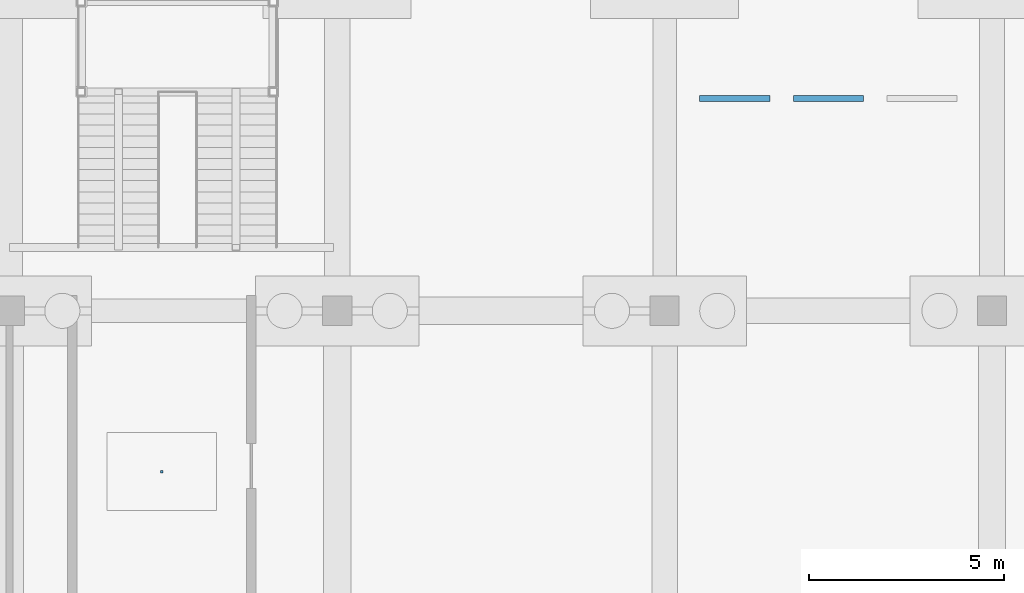
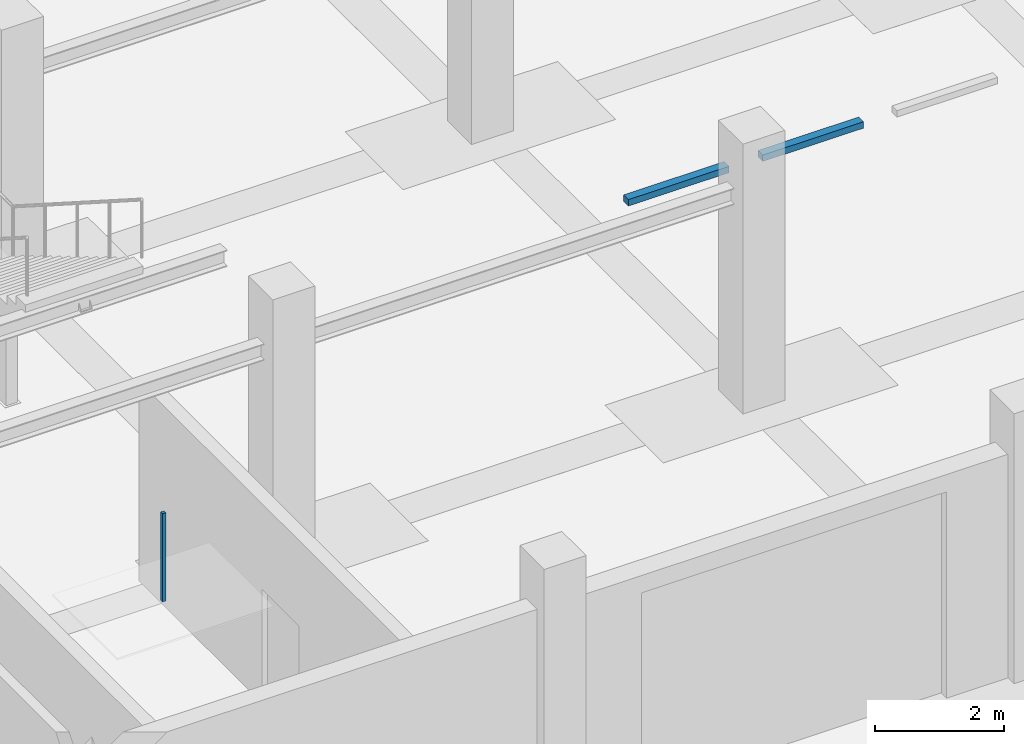
# One storey, part 96 of 119: 3 discrete accessories.
"""IFC4 building model written with IfcOpenShell, lengths in metres."""

from ifc_helpers import new_model, si_unit, derived_unit, direction, frame, origin, origin_2d, place, context, subcontext, project, spatial, rectangle, extrude, material, layer, layer_set, type_object, element, save


model = new_model("IFC4")

# Units and contexts
model_context = context("Model", 3, precision=1e-05, world=origin(), true_north=direction((0.0, 1.0)))
body_context = subcontext(model_context, "Body", "Model", "MODEL_VIEW")
ifc_project = project(units=[si_unit("LENGTHUNIT", "METRE"), si_unit("AREAUNIT", "SQUARE_METRE"), si_unit("VOLUMEUNIT", "CUBIC_METRE"), si_unit("PLANEANGLEUNIT", "RADIAN"), si_unit("MASSUNIT", "GRAM", prefix="KILO"), derived_unit("THERMALTRANSMITTANCEUNIT", [(si_unit("MASSUNIT", "GRAM", prefix="KILO"), 1), (si_unit("TIMEUNIT", "SECOND"), -3), (si_unit("THERMODYNAMICTEMPERATUREUNIT", "KELVIN"), -1)])], contexts=[model_context])

# Site, building, storey
site_placement = place(None, origin())
site = spatial("IfcSite", under=ifc_project, at=site_placement, CompositionType="ELEMENT")
building_placement = place(site_placement, origin())
building = spatial("IfcBuilding", under=site, at=building_placement, Name="Makaiwela Harbour Ferry Terminal", CompositionType="ELEMENT")
storey_placement = place(building_placement, origin())
storey = spatial("IfcBuildingStorey", under=building, at=storey_placement, Name="L00", CompositionType="ELEMENT", Elevation=0.0)

# Discrete accessories
ifc_material_1 = material(Name="Concrete f'c 45 MPa (6500 psi)", Category="concrete")
ifc_layer_1 = layer(ifc_material_1, 0.1201171875)
ifc_layer_set_1 = layer_set([ifc_layer_1], Name="Concrete f'c 45 MPa (6500 psi)")
discrete_accessory_type_1 = type_object("IfcDiscreteAccessoryType", Name="EXT-ACC-WST", PredefinedType="BRACKET", material=ifc_layer_set_1)
for number, where, z_axis, x_axis, name in (
    (1, (90.0, 13.85009765625, 0.0), (0.0, 0.0, 1.0), (1.0, 0.0, 0.0), "Parking Bay Wheel Stop WS-03"),
    (2, (92.39990234375, 13.85009765625, 0.0), (0.0, 0.0, 1.0), (1.0, 0.0, 0.0), "Parking Bay Wheel Stop WS-04"),
):
    element("IfcDiscreteAccessory", number, at=place(storey_placement, frame(where, z_axis=z_axis, x_axis=x_axis)), inside=storey, type_object=discrete_accessory_type_1, Name=name, PredefinedType="BRACKET", context=body_context, shape_type="SweptSolid", body=[
        extrude(rectangle(XDim=1.800048828125, YDim=0.14990234375, at=origin_2d()), origin(), (0.0, 0.0, 1.0), 0.1201171875),
    ])
ifc_material_2 = material(Name="Marine grade 316L brushed stainless steel", Category="steel")
ifc_layer_2 = layer(ifc_material_2, 1.0)
ifc_layer_set_2 = layer_set([ifc_layer_2], Name="Marine grade 316L brushed stainless steel")
discrete_accessory_type_2 = type_object("IfcDiscreteAccessoryType", Name="INT-ACC-HNG", PredefinedType="BRACKET", material=ifc_layer_set_2)
discrete_accessory_placement = place(storey_placement, frame((75.300048828125, 4.27490234375, 3.135009765625), z_axis=(0.0, 0.0, 1.0), x_axis=(1.0, 0.0, 0.0)))
element("IfcDiscreteAccessory", 3, at=discrete_accessory_placement, inside=storey, type_object=discrete_accessory_type_2, Name="Ceiling Suspension Bracket HNG-012", PredefinedType="BRACKET", context=body_context, shape_type="SweptSolid", body=[
    extrude(rectangle(XDim=0.06005859375, YDim=0.06005859375, at=origin_2d()), origin(), (0.0, 0.0, 1.0), 1.669921875),
])

save(model, "model.ifc")
